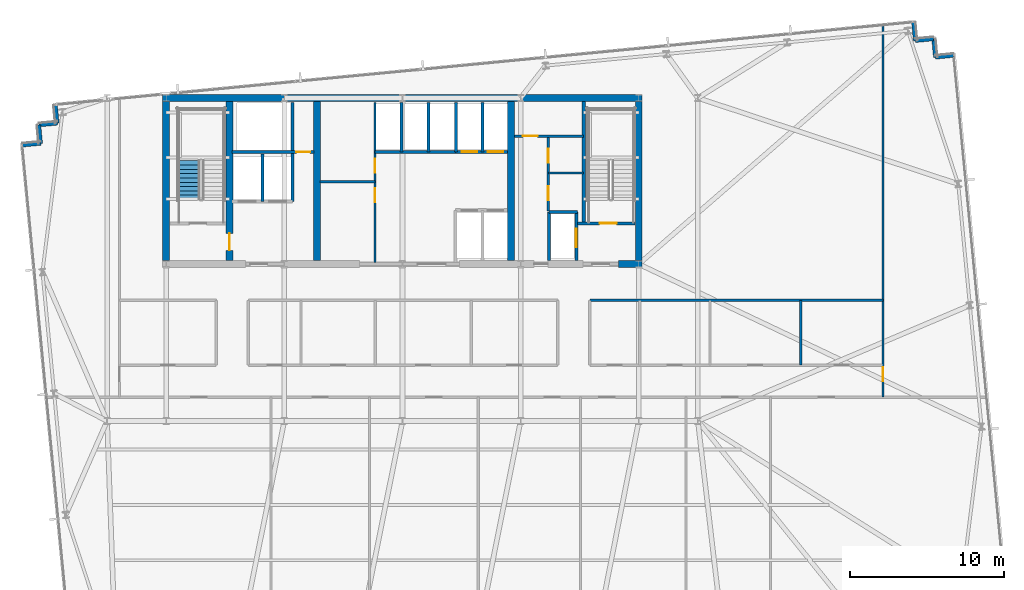
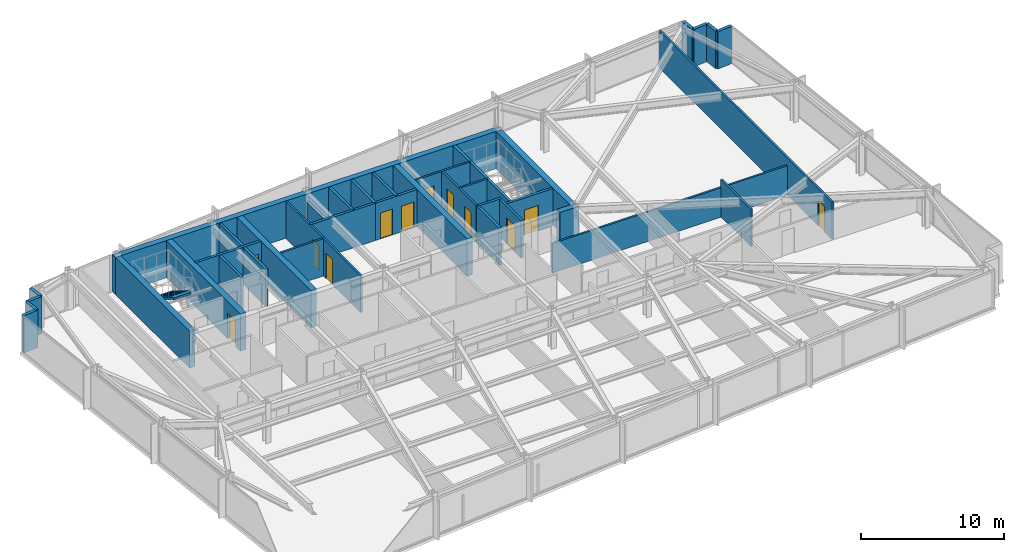
# One storey, part 26 of 33: 37 walls, 12 doors, 1 stair flight, 12 openings, 1 element without a shape of its own.
"""IFC4 building model written with IfcOpenShell, lengths in metres."""

from ifc_helpers import new_model, si_unit, direction, frame, frame_2d, origin, place, context, subcontext, project, spatial, polyline, rectangle, outline, extrude, material, layer, layer_set, type_object, element, fill, aggregate, save


model = new_model("IFC4")

# Units and contexts
model_context = context("Model", 3, precision=1e-05, world=origin(), true_north=direction((0.0, 1.0)))
body_context = subcontext(model_context, "Body", "Model", "MODEL_VIEW")
ifc_project = project(units=[si_unit("LENGTHUNIT", "METRE"), si_unit("AREAUNIT", "SQUARE_METRE"), si_unit("VOLUMEUNIT", "CUBIC_METRE"), si_unit("PLANEANGLEUNIT", "RADIAN"), si_unit("MASSUNIT", "GRAM", prefix="KILO")], contexts=[model_context])

# Site, building, storey
site_placement = place(None, origin())
site = spatial("IfcSite", under=ifc_project, at=site_placement, CompositionType="ELEMENT")
building_placement = place(site_placement, origin())
building = spatial("IfcBuilding", under=site, at=building_placement, Name="Yelkora Congress Tower", CompositionType="ELEMENT")
storey_placement = place(building_placement, frame((0.0, 0.0, 110.10009765625)))
storey = spatial("IfcBuildingStorey", under=building, at=storey_placement, Name="L29", CompositionType="ELEMENT", Elevation=110.10009765625)

# Walls
ifc_material_1 = material(Name="Concrete C50/60", Category="concrete")
ifc_layer_1 = layer(ifc_material_1, 0.219970703125)
ifc_layer_set_1 = layer_set([ifc_layer_1], Name="Concrete C50/60")
wall_type_1 = type_object("IfcWallType", Name="WALL-CORE-INT-220", PredefinedType="SHEAR", material=ifc_layer_set_1)
wall_1_placement = place(storey_placement, frame((50.179931640625, 38.050048828125, 0.0), z_axis=(0.0, 0.0, 1.0), x_axis=(0.0, 1.0, 0.0)))
element("IfcWall", 1, at=wall_1_placement, inside=storey, type_object=wall_type_1, Name="L29 ST02 West Stair Shear Wall", PredefinedType="SHEAR", context=body_context, shape_type="SweptSolid", body=[
    extrude(rectangle(XDim=7.925048828125, YDim=0.219970703125, at=frame_2d((3.96240234375, 0.0))), origin(), (0.0, 0.0, 1.0), 3.179931640625),
])
ifc_material_2 = material(Name="Concrete C60/75", Category="concrete")
ifc_layer_2 = layer(ifc_material_2, 0.449951171875)
ifc_layer_set_2 = layer_set([ifc_layer_2], Name="Concrete C60/75")
wall_type_2 = type_object("IfcWallType", Name="WALL-CORE-INT-450", PredefinedType="SHEAR", material=ifc_layer_set_2)
wall_2_placement = place(storey_placement, frame((22.81494140625, 46.199951171875, 0.0), z_axis=(0.0, 0.0, 1.0), x_axis=(1.0, 0.0, 0.0)))
element("IfcWall", 2, at=wall_2_placement, inside=storey, type_object=wall_type_2, Name="L29 Rear Core North Shear Wall", PredefinedType="SHEAR", context=body_context, shape_type="SweptSolid", body=[
    extrude(rectangle(XDim=31.170166015625, YDim=0.449951171875, at=frame_2d((15.5849609375, 0.0))), origin(), (0.0, 0.0, 1.0), 3.179931640625),
])
wall_3_placement = place(storey_placement, frame((52.449951171875, 35.39990234375, 0.0), z_axis=(0.0, 0.0, 1.0), x_axis=(1.0, 0.0, 0.0)))
element("IfcWall", 3, at=wall_3_placement, inside=storey, type_object=wall_type_2, Name="L29 Rear Core South-East Shear Wall B", PredefinedType="SHEAR", context=body_context, shape_type="SweptSolid", body=[
    extrude(rectangle(XDim=1.53515625, YDim=0.449951171875, at=frame_2d((0.767578125, 0.0))), origin(), (0.0, 0.0, 1.0), 3.179931640625),
])
wall_4_placement = place(storey_placement, frame((23.0400390625, 35.625, 0.0), z_axis=(0.0, 0.0, 1.0), x_axis=(0.0, 1.0, 0.0)))
element("IfcWall", 4, at=wall_4_placement, inside=storey, type_object=wall_type_2, Name="L29 Rear Core Cross Shear Wall W", PredefinedType="SHEAR", context=body_context, shape_type="SweptSolid", body=[
    extrude(rectangle(XDim=10.35009765625, YDim=0.449951171875, at=frame_2d((5.175048828125, 0.0))), origin(), (0.0, 0.0, 1.0), 3.179931640625),
])

# Wall, opening, door
wall_5_placement = place(storey_placement, frame((27.14990234375, 35.625, 0.0), z_axis=(0.0, 0.0, 1.0), x_axis=(0.0, 1.0, 0.0)))
wall_5 = element("IfcWall", 5, at=wall_5_placement, inside=storey, type_object=wall_type_2, Name="L29 Rear Core Cross Shear Wall C1", PredefinedType="SHEAR", context=body_context, shape_type="SweptSolid", body=[
    extrude(rectangle(XDim=10.35009765625, YDim=0.449951171875, at=frame_2d((5.175048828125, 0.0))), origin(), (0.0, 0.0, 1.0), 3.179931640625),
])
opening_1_placement = place(wall_5_placement, frame((0.675048828125, 0.0, 0.0)))
opening_1 = element("IfcOpeningElement", 6, at=opening_1_placement, cuts=wall_5, Name="Opening DR-110F9", PredefinedType="OPENING", context=body_context, shape_type="SweptSolid", body=[
    extrude(rectangle(XDim=1.10009765625, YDim=2.14990234375, at=frame_2d((0.550048828125, 1.074951171875))), frame((0.0, 0.23486328125, 0.0), z_axis=(0.0, -1.0, 0.0), x_axis=(1.0, 0.0, 0.0)), (0.0, 0.0, 1.0), 0.469970703125),
])
ifc_material_3 = material(Name="Galvanised steel fire door leaf", Category="steel")
door_type_1 = type_object("IfcDoorType", Name="DOOR-FD90-1100", OperationType="NOTDEFINED", PredefinedType="DOOR", material=ifc_material_3)
door_1_placement = place(opening_1_placement, origin())
door_1 = element("IfcDoor", 7, at=door_1_placement, inside=storey, type_object=door_type_1, Name="L29 Firefighting Stair Transfer Door", OperationType="SINGLE_SWING_LEFT", OverallHeight=2.14990234375, OverallWidth=1.10009765625, PredefinedType="DOOR", context=body_context, shape_type="SweptSolid", body=[
    extrude(rectangle(XDim=1.10009765625, YDim=2.14990234375, at=frame_2d((0.550048828125, 1.074951171875))), frame((0.0, 0.02490234375, 0.0), z_axis=(0.0, -1.0, 0.0), x_axis=(1.0, 0.0, 0.0)), (0.0, 0.0, 1.0), 0.050048828125),
])
fill(opening_1, door_1)

# Walls
for number, where, z_axis, x_axis, name in (
    (8, (32.85009765625, 35.625, 0.0), (0.0, 0.0, 1.0), (0.0, 1.0, 0.0), "L29 Rear Core Cross Shear Wall C2"),
    (9, (45.449951171875, 35.625, 0.0), (0.0, 0.0, 1.0), (0.0, 1.0, 0.0), "L29 Rear Core Cross Shear Wall C3"),
    (10, (53.760009765625, 35.625, 0.0), (0.0, 0.0, 1.0), (0.0, 1.0, 0.0), "L29 Rear Core Cross Shear Wall E"),
):
    element("IfcWall", number, at=place(storey_placement, frame(where, z_axis=z_axis, x_axis=x_axis)), inside=storey, type_object=wall_type_2, Name=name, PredefinedType="SHEAR", context=body_context, shape_type="SweptSolid", body=[
        extrude(rectangle(XDim=10.35009765625, YDim=0.449951171875, at=frame_2d((5.175048828125, 0.0))), origin(), (0.0, 0.0, 1.0), 3.179931640625),
    ])
ifc_material_4 = material(Name="Concrete C40/50", Category="concrete")
ifc_layer_3 = layer(ifc_material_4, 0.239990234375)
ifc_layer_set_3 = layer_set([ifc_layer_3], Name="Concrete C40/50")
wall_type_3 = type_object("IfcWallType", Name="WALL-EXT-LIMESTONE-240", PredefinedType="SOLIDWALL", material=ifc_layer_set_3)
for number, where, z_axis, x_axis, name in (
    (11, (13.69091796875, 43.126708984375, 0.0), (0.0, 0.0, 1.0), (0.995398960025, 0.095817067274, 0.0), "L29 Serrated Corner Limestone Pier 6"),
    (12, (14.885498046875, 43.24169921875, 0.0), (0.0, 0.0, 1.0), (-0.095817067274, 0.995398960025, 0.0), "L29 Serrated Corner Limestone Pier 7"),
):
    element("IfcWall", number, at=place(storey_placement, frame(where, z_axis=z_axis, x_axis=x_axis)), inside=storey, type_object=wall_type_3, Name=name, PredefinedType="SOLIDWALL", context=body_context, shape_type="SweptSolid", body=[
        extrude(rectangle(XDim=1.2001953125, YDim=0.239990234375, at=frame_2d((0.60009765625, 0.0))), origin(), (0.0, 0.0, 1.0), 3.179931640625),
    ])
for number, where, z_axis, x_axis, name in (
    (13, (14.7705078125, 44.436279296875, 0.0), (0.0, 0.0, 1.0), (0.995397091755, 0.095836473879, 0.0), "L29 Serrated Corner Limestone Pier 8"),
    (14, (15.96484375, 44.55126953125, 0.0), (0.0, 0.0, 1.0), (-0.095836473879, 0.995397091755, 0.0), "L29 Serrated Corner Limestone Pier 9"),
):
    element("IfcWall", number, at=place(storey_placement, frame(where, z_axis=z_axis, x_axis=x_axis)), inside=storey, type_object=wall_type_3, Name=name, PredefinedType="SOLIDWALL", context=body_context, shape_type="SweptSolid", body=[
        extrude(rectangle(XDim=1.199951171875, YDim=0.239990234375, at=frame_2d((0.60009765625, 0.0))), origin(), (0.0, 0.0, 1.0), 3.179931640625),
    ])
for number, where, z_axis, x_axis, name in (
    (15, (71.61181640625, 51.114990234375, 0.0), (0.0, 0.0, 1.0), (0.095817067274, -0.995398960025, 0.0), "L29 Serrated Corner Limestone Pier 11"),
    (16, (71.726806640625, 49.92041015625, 0.0), (0.0, 0.0, 1.0), (0.995398960025, 0.095817067274, 0.0), "L29 Serrated Corner Limestone Pier 12"),
    (17, (72.92138671875, 50.035400390625, 0.0), (0.0, 0.0, 1.0), (0.095817067274, -0.995398960025, 0.0), "L29 Serrated Corner Limestone Pier 13"),
    (18, (73.036376953125, 48.8408203125, 0.0), (0.0, 0.0, 1.0), (0.995379537303, 0.096018626938, 0.0), "L29 Serrated Corner Limestone Pier 14"),
):
    element("IfcWall", number, at=place(storey_placement, frame(where, z_axis=z_axis, x_axis=x_axis)), inside=storey, type_object=wall_type_3, Name=name, PredefinedType="SOLIDWALL", context=body_context, shape_type="SweptSolid", body=[
        extrude(rectangle(XDim=1.2001953125, YDim=0.239990234375, at=frame_2d((0.60009765625, 0.0))), origin(), (0.0, 0.0, 1.0), 3.179931640625),
    ])

# Wall, opening, door
ifc_material_5 = material(Name="Acoustic metal-stud gypsum partition", Category="gypsum")
ifc_layer_4 = layer(ifc_material_5, 0.14990234375)
ifc_layer_set_4 = layer_set([ifc_layer_4], Name="Acoustic metal-stud gypsum partition")
wall_type_4 = type_object("IfcWallType", Name="WALL-INT-150-NR", PredefinedType="PARTITIONING", material=ifc_layer_set_4)
wall_6_placement = place(storey_placement, frame((45.679931640625, 43.719970703125, 0.0), z_axis=(0.0, 0.0, 1.0), x_axis=(1.0, 0.0, 0.0)))
wall_6 = element("IfcWall", 19, at=wall_6_placement, inside=storey, type_object=wall_type_4, Name="L29 Partition Wall 24", PredefinedType="PARTITIONING", context=body_context, shape_type="SweptSolid", body=[
    extrude(rectangle(XDim=4.5, YDim=0.14990234375, at=frame_2d((2.25, 0.0))), origin(), (0.0, 0.0, 1.0), 3.179931640625),
])
opening_2_placement = place(wall_6_placement, frame((0.550048828125, 0.0, 0.0)))
opening_2 = element("IfcOpeningElement", 20, at=opening_2_placement, cuts=wall_6, Name="Opening DR-095N", PredefinedType="OPENING", context=body_context, shape_type="SweptSolid", body=[
    extrude(rectangle(XDim=0.949951171875, YDim=2.14990234375, at=frame_2d((0.47509765625, 1.074951171875))), frame((0.0, 0.0849609375, 0.0), z_axis=(0.0, -1.0, 0.0), x_axis=(1.0, 0.0, 0.0)), (0.0, 0.0, 1.0), 0.169921875),
])
ifc_material_6 = material(Name="Acoustic laminated timber office door", Category="wood")
door_type_2 = type_object("IfcDoorType", Name="DOOR-INT-950", OperationType="NOTDEFINED", PredefinedType="DOOR", material=ifc_material_6)
door_2_placement = place(opening_2_placement, origin())
door_2 = element("IfcDoor", 21, at=door_2_placement, inside=storey, type_object=door_type_2, Name="L29 Accessible WC Door", OperationType="SINGLE_SWING_RIGHT", OverallHeight=2.14990234375, OverallWidth=0.949951171875, PredefinedType="DOOR", context=body_context, shape_type="SweptSolid", body=[
    extrude(rectangle(XDim=0.949951171875, YDim=2.14990234375, at=frame_2d((0.47509765625, 1.074951171875))), frame((0.0, 0.02490234375, 0.0), z_axis=(0.0, -1.0, 0.0), x_axis=(1.0, 0.0, 0.0)), (0.0, 0.0, 1.0), 0.050048828125),
])
fill(opening_2, door_2)

# Wall
wall_7_placement = place(storey_placement, frame((47.8798828125, 41.320068359375, 0.0), z_axis=(0.0, 0.0, 1.0), x_axis=(1.0, 0.0, 0.0)))
element("IfcWall", 22, at=wall_7_placement, inside=storey, type_object=wall_type_4, Name="L29 Partition Wall 25", PredefinedType="PARTITIONING", context=body_context, shape_type="SweptSolid", body=[
    extrude(rectangle(XDim=2.300048828125, YDim=0.14990234375, at=frame_2d((1.14990234375, 0.0))), origin(), (0.0, 0.0, 1.0), 3.179931640625),
])

# Wall, openings, doors
wall_8_placement = place(storey_placement, frame((47.8798828125, 38.85009765625, 0.0), z_axis=(0.0, 0.0, 1.0), x_axis=(0.0, 1.0, 0.0)))
wall_8 = element("IfcWall", 23, at=wall_8_placement, inside=storey, type_object=wall_type_4, Name="L29 Partition Wall 26", PredefinedType="PARTITIONING", context=body_context, shape_type="SweptSolid", body=[
    extrude(rectangle(XDim=4.869873046875, YDim=0.14990234375, at=frame_2d((2.43505859375, 0.0))), origin(), (0.0, 0.0, 1.0), 3.179931640625),
])
opening_3_placement = place(wall_8_placement, frame((0.699951171875, 0.0, 0.0)))
opening_3 = element("IfcOpeningElement", 24, at=opening_3_placement, cuts=wall_8, Name="Opening DR-090N", PredefinedType="OPENING", context=body_context, shape_type="SweptSolid", body=[
    extrude(rectangle(XDim=0.89990234375, YDim=2.14990234375, at=frame_2d((0.449951171875, 1.074951171875))), frame((0.0, 0.0849609375, 0.0), z_axis=(0.0, -1.0, 0.0), x_axis=(1.0, 0.0, 0.0)), (0.0, 0.0, 1.0), 0.169921875),
])
opening_4_placement = place(wall_8_placement, frame((3.14990234375, 0.0, 0.0)))
opening_4 = element("IfcOpeningElement", 25, at=opening_4_placement, cuts=wall_8, Name="Opening DR-090N", PredefinedType="OPENING", context=body_context, shape_type="SweptSolid", body=[
    extrude(rectangle(XDim=0.89990234375, YDim=2.14990234375, at=frame_2d((0.449951171875, 1.074951171875))), frame((0.0, 0.0849609375, 0.0), z_axis=(0.0, -1.0, 0.0), x_axis=(1.0, 0.0, 0.0)), (0.0, 0.0, 1.0), 0.169921875),
])
ifc_material_7 = material(Name="Moisture-resistant laminate door leaf", Category="wood")
door_type_3 = type_object("IfcDoorType", Name="DOOR-INT-900", OperationType="NOTDEFINED", PredefinedType="DOOR", material=ifc_material_7)
door_3_placement = place(opening_3_placement, origin())
door_3 = element("IfcDoor", 26, at=door_3_placement, inside=storey, type_object=door_type_3, Name="L29 Male WC Door", OperationType="SINGLE_SWING_LEFT", OverallHeight=2.14990234375, OverallWidth=0.89990234375, PredefinedType="DOOR", context=body_context, shape_type="SweptSolid", body=[
    extrude(rectangle(XDim=0.89990234375, YDim=2.14990234375, at=frame_2d((0.449951171875, 1.074951171875))), frame((0.0, 0.02490234375, 0.0), z_axis=(0.0, -1.0, 0.0), x_axis=(1.0, 0.0, 0.0)), (0.0, 0.0, 1.0), 0.050048828125),
])
fill(opening_3, door_3)
door_4_placement = place(opening_4_placement, origin())
door_4 = element("IfcDoor", 27, at=door_4_placement, inside=storey, type_object=door_type_3, Name="L29 Female WC Door", OperationType="SINGLE_SWING_RIGHT", OverallHeight=2.14990234375, OverallWidth=0.89990234375, PredefinedType="DOOR", context=body_context, shape_type="SweptSolid", body=[
    extrude(rectangle(XDim=0.89990234375, YDim=2.14990234375, at=frame_2d((0.449951171875, 1.074951171875))), frame((0.0, 0.02490234375, 0.0), z_axis=(0.0, -1.0, 0.0), x_axis=(1.0, 0.0, 0.0)), (0.0, 0.0, 1.0), 0.050048828125),
])
fill(opening_4, door_4)

# Wall, opening, door
wall_9_placement = place(storey_placement, frame((69.62890625, 26.75, 0.0), z_axis=(0.0, 0.0, 1.0), x_axis=(0.0, 1.0, 0.0)))
wall_9 = element("IfcWall", 28, at=wall_9_placement, inside=storey, type_object=wall_type_4, Name="L29 Partition Wall 35", PredefinedType="PARTITIONING", context=body_context, shape_type="SweptSolid", body=[
    extrude(rectangle(XDim=24.234375, YDim=0.14990234375, at=frame_2d((12.1171875, 0.0))), origin(), (0.0, 0.0, 1.0), 3.179931640625),
])
opening_5_placement = place(wall_9_placement, frame((1.030029296875, 0.0, 0.0)))
opening_5 = element("IfcOpeningElement", 29, at=opening_5_placement, cuts=wall_9, Name="Opening DR-090N", PredefinedType="OPENING", context=body_context, shape_type="SweptSolid", body=[
    extrude(rectangle(XDim=0.89990234375, YDim=2.14990234375, at=frame_2d((0.449951171875, 1.074951171875))), frame((0.0, 0.0849609375, 0.0), z_axis=(0.0, -1.0, 0.0), x_axis=(1.0, 0.0, 0.0)), (0.0, 0.0, 1.0), 0.169921875),
])
door_5_placement = place(opening_5_placement, origin())
door_5 = element("IfcDoor", 30, at=door_5_placement, inside=storey, type_object=door_type_3, Name="L29 E Wing Door", OperationType="SINGLE_SWING_LEFT", OverallHeight=2.14990234375, OverallWidth=0.89990234375, PredefinedType="DOOR", context=body_context, shape_type="SweptSolid", body=[
    extrude(rectangle(XDim=0.89990234375, YDim=2.14990234375, at=frame_2d((0.449951171875, 1.074951171875))), frame((0.0, 0.02490234375, 0.0), z_axis=(0.0, -1.0, 0.0), x_axis=(1.0, 0.0, 0.0)), (0.0, 0.0, 1.0), 0.050048828125),
])
fill(opening_5, door_5)

# Walls
wall_10_placement = place(storey_placement, frame((50.580078125, 33.050048828125, 0.0), z_axis=(0.0, 0.0, 1.0), x_axis=(1.0, 0.0, 0.0)))
element("IfcWall", 31, at=wall_10_placement, inside=storey, type_object=wall_type_4, Name="L29 Partition Wall 42", PredefinedType="PARTITIONING", context=body_context, shape_type="SweptSolid", body=[
    extrude(rectangle(XDim=19.048828125, YDim=0.14990234375, at=frame_2d((9.5244140625, 0.0))), origin(), (0.0, 0.0, 1.0), 2.52490234375),
])
wall_11_placement = place(storey_placement, frame((64.283935546875, 28.830078125, 0.0), z_axis=(0.0, 0.0, 1.0), x_axis=(0.0, 1.0, 0.0)))
element("IfcWall", 32, at=wall_11_placement, inside=storey, type_object=wall_type_4, Name="L29 Partition Wall 50", PredefinedType="PARTITIONING", context=body_context, shape_type="SweptSolid", body=[
    extrude(rectangle(XDim=4.219970703125, YDim=0.14990234375, at=frame_2d((2.10986328125, 0.0))), origin(), (0.0, 0.0, 1.0), 3.179931640625),
])
ifc_material_8 = material(Name="Twin-stud fire-rated gypsum partition", Category="gypsum")
ifc_layer_5 = layer(ifc_material_8, 0.14990234375)
ifc_layer_set_5 = layer_set([ifc_layer_5], Name="Twin-stud fire-rated gypsum partition")
wall_type_5 = type_object("IfcWallType", Name="WALL-INT-150-R60", PredefinedType="PARTITIONING", material=ifc_layer_set_5)
wall_12_placement = place(storey_placement, frame((33.050048828125, 40.75, 0.0), z_axis=(0.0, 0.0, 1.0), x_axis=(1.0, 0.0, 0.0)))
element("IfcWall", 33, at=wall_12_placement, inside=storey, type_object=wall_type_5, Name="L29 Partition Wall 11", PredefinedType="PARTITIONING", context=body_context, shape_type="SweptSolid", body=[
    extrude(rectangle(XDim=3.570068359375, YDim=0.14990234375, at=frame_2d((1.78515625, 0.0))), origin(), (0.0, 0.0, 1.0), 3.179931640625),
])

# Wall, openings, doors
wall_13_placement = place(storey_placement, frame((36.6201171875, 35.5, 0.0), z_axis=(0.0, 0.0, 1.0), x_axis=(0.0, 1.0, 0.0)))
wall_13 = element("IfcWall", 34, at=wall_13_placement, inside=storey, type_object=wall_type_5, Name="L29 Partition Wall 12", PredefinedType="PARTITIONING", context=body_context, shape_type="SweptSolid", body=[
    extrude(rectangle(XDim=10.419921875, YDim=0.14990234375, at=frame_2d((5.2099609375, 0.0))), origin(), (0.0, 0.0, 1.0), 3.179931640625),
])
opening_6_placement = place(wall_13_placement, frame((3.919921875, 0.0, 0.0)))
opening_6 = element("IfcOpeningElement", 35, at=opening_6_placement, cuts=wall_13, Name="Opening DR-090F6", PredefinedType="OPENING", context=body_context, shape_type="SweptSolid", body=[
    extrude(rectangle(XDim=0.89990234375, YDim=2.14990234375, at=frame_2d((0.449951171875, 1.074951171875))), frame((0.0, 0.0849609375, 0.0), z_axis=(0.0, -1.0, 0.0), x_axis=(1.0, 0.0, 0.0)), (0.0, 0.0, 1.0), 0.169921875),
])
opening_7_placement = place(wall_13_placement, frame((5.85009765625, 0.0, 0.0)))
opening_7 = element("IfcOpeningElement", 36, at=opening_7_placement, cuts=wall_13, Name="Opening DR-090F6", PredefinedType="OPENING", context=body_context, shape_type="SweptSolid", body=[
    extrude(rectangle(XDim=0.89990234375, YDim=2.14990234375, at=frame_2d((0.449951171875, 1.074951171875))), frame((0.0, 0.0849609375, 0.0), z_axis=(0.0, -1.0, 0.0), x_axis=(1.0, 0.0, 0.0)), (0.0, 0.0, 1.0), 0.169921875),
])
ifc_material_9 = material(Name="Painted steel riser fire door leaf", Category="steel")
door_type_4 = type_object("IfcDoorType", Name="DOOR-FD60-900", OperationType="NOTDEFINED", PredefinedType="DOOR", material=ifc_material_9)
door_6_placement = place(opening_6_placement, origin())
door_6 = element("IfcDoor", 37, at=door_6_placement, inside=storey, type_object=door_type_4, Name="L29 Telecom Store Door", OperationType="SINGLE_SWING_LEFT", OverallHeight=2.14990234375, OverallWidth=0.89990234375, PredefinedType="DOOR", context=body_context, shape_type="SweptSolid", body=[
    extrude(rectangle(XDim=0.89990234375, YDim=2.14990234375, at=frame_2d((0.449951171875, 1.074951171875))), frame((0.0, 0.02490234375, 0.0), z_axis=(0.0, -1.0, 0.0), x_axis=(1.0, 0.0, 0.0)), (0.0, 0.0, 1.0), 0.050048828125),
])
fill(opening_6, door_6)
door_7_placement = place(opening_7_placement, origin())
door_7 = element("IfcDoor", 38, at=door_7_placement, inside=storey, type_object=door_type_4, Name="L29 Archive Store Door", OperationType="SINGLE_SWING_RIGHT", OverallHeight=2.14990234375, OverallWidth=0.89990234375, PredefinedType="DOOR", context=body_context, shape_type="SweptSolid", body=[
    extrude(rectangle(XDim=0.89990234375, YDim=2.14990234375, at=frame_2d((0.449951171875, 1.074951171875))), frame((0.0, 0.02490234375, 0.0), z_axis=(0.0, -1.0, 0.0), x_axis=(1.0, 0.0, 0.0)), (0.0, 0.0, 1.0), 0.050048828125),
])
fill(opening_7, door_7)

# Walls
ifc_material_10 = material(Name="Autoclaved aerated concrete blockwork", Category="masonry")
ifc_layer_6 = layer(ifc_material_10, 0.199951171875)
ifc_layer_set_6 = layer_set([ifc_layer_6], Name="Autoclaved aerated concrete blockwork")
wall_type_6 = type_object("IfcWallType", Name="WALL-INT-200-R120", PredefinedType="PARTITIONING", material=ifc_layer_set_6)
wall_14_placement = place(storey_placement, frame((29.300048828125, 39.47998046875, 0.0), z_axis=(0.0, 0.0, 1.0), x_axis=(0.0, 1.0, 0.0)))
element("IfcWall", 39, at=wall_14_placement, inside=storey, type_object=wall_type_6, Name="L29 Partition Wall 4", PredefinedType="PARTITIONING", context=body_context, shape_type="SweptSolid", body=[
    extrude(rectangle(XDim=3.070068359375, YDim=0.199951171875, at=frame_2d((1.53515625, 0.0))), origin(), (0.0, 0.0, 1.0), 3.179931640625),
])
wall_15_placement = place(storey_placement, frame((31.260009765625, 39.47998046875, 0.0), z_axis=(0.0, 0.0, 1.0), x_axis=(0.0, 1.0, 0.0)))
element("IfcWall", 40, at=wall_15_placement, inside=storey, type_object=wall_type_6, Name="L29 Partition Wall 5", PredefinedType="PARTITIONING", context=body_context, shape_type="SweptSolid", body=[
    extrude(rectangle(XDim=6.43994140625, YDim=0.199951171875, at=frame_2d((3.219970703125, 0.0))), origin(), (0.0, 0.0, 1.0), 3.179931640625),
])

# Wall, opening, door
wall_16_placement = place(storey_placement, frame((27.320068359375, 42.679931640625, 0.0), z_axis=(0.0, 0.0, 1.0), x_axis=(1.0, 0.0, 0.0)))
wall_16 = element("IfcWall", 41, at=wall_16_placement, inside=storey, type_object=wall_type_6, Name="L29 Smoke Riser South Wall", PredefinedType="PARTITIONING", context=body_context, shape_type="SweptSolid", body=[
    extrude(rectangle(XDim=5.329833984375, YDim=0.199951171875, at=frame_2d((2.6650390625, 0.0))), origin(), (0.0, 0.0, 1.0), 3.179931640625),
])
opening_8_placement = place(wall_16_placement, frame((4.179931640625, 0.0, 0.0)))
opening_8 = element("IfcOpeningElement", 42, at=opening_8_placement, cuts=wall_16, Name="Opening DR-090F6", PredefinedType="OPENING", context=body_context, shape_type="SweptSolid", body=[
    extrude(rectangle(XDim=0.89990234375, YDim=2.14990234375, at=frame_2d((0.449951171875, 1.074951171875))), frame((0.0, 0.10986328125, 0.0), z_axis=(0.0, -1.0, 0.0), x_axis=(1.0, 0.0, 0.0)), (0.0, 0.0, 1.0), 0.219970703125),
])
door_8_placement = place(opening_8_placement, origin())
door_8 = element("IfcDoor", 43, at=door_8_placement, inside=storey, type_object=door_type_4, Name="L29 Riser Access Door", OperationType="SINGLE_SWING_LEFT", OverallHeight=2.14990234375, OverallWidth=0.89990234375, PredefinedType="DOOR", context=body_context, shape_type="SweptSolid", body=[
    extrude(rectangle(XDim=0.89990234375, YDim=2.14990234375, at=frame_2d((0.449951171875, 1.074951171875))), frame((0.0, 0.02490234375, 0.0), z_axis=(0.0, -1.0, 0.0), x_axis=(1.0, 0.0, 0.0)), (0.0, 0.0, 1.0), 0.050048828125),
])
fill(opening_8, door_8)

# Walls
wall_17_placement = place(storey_placement, frame((36.60009765625, 42.699951171875, 0.0), z_axis=(0.0, 0.0, 1.0), x_axis=(1.0, 0.0, 0.0)))
element("IfcWall", 44, at=wall_17_placement, inside=storey, type_object=wall_type_6, Name="L29 Partition Wall 8", PredefinedType="PARTITIONING", context=body_context, shape_type="SweptSolid", body=[
    extrude(rectangle(XDim=5.25, YDim=0.199951171875, at=frame_2d((2.625, 0.0))), origin(), (0.0, 0.0, 1.0), 3.179931640625),
])
wall_18_placement = place(storey_placement, frame((38.35009765625, 42.699951171875, 0.0), z_axis=(0.0, 0.0, 1.0), x_axis=(0.0, 1.0, 0.0)))
element("IfcWall", 45, at=wall_18_placement, inside=storey, type_object=wall_type_6, Name="L29 Partition Wall 9", PredefinedType="PARTITIONING", context=body_context, shape_type="SweptSolid", body=[
    extrude(rectangle(XDim=3.219970703125, YDim=0.199951171875, at=frame_2d((1.60986328125, 0.0))), origin(), (0.0, 0.0, 1.0), 2.52490234375),
])
wall_19_placement = place(storey_placement, frame((40.10009765625, 42.699951171875, 0.0), z_axis=(0.0, 0.0, 1.0), x_axis=(0.0, 1.0, 0.0)))
element("IfcWall", 46, at=wall_19_placement, inside=storey, type_object=wall_type_6, Name="L29 Partition Wall 10", PredefinedType="PARTITIONING", context=body_context, shape_type="SweptSolid", body=[
    extrude(rectangle(XDim=3.219970703125, YDim=0.199951171875, at=frame_2d((1.60986328125, 0.0))), origin(), (0.0, 0.0, 1.0), 3.179931640625),
])

# Wall, openings, doors
wall_20_placement = place(storey_placement, frame((41.85009765625, 42.699951171875, 0.0), z_axis=(0.0, 0.0, 1.0), x_axis=(1.0, 0.0, 0.0)))
wall_20 = element("IfcWall", 47, at=wall_20_placement, inside=storey, type_object=wall_type_6, Name="L29 Partition Wall 14", PredefinedType="PARTITIONING", context=body_context, shape_type="SweptSolid", body=[
    extrude(rectangle(XDim=3.369873046875, YDim=0.199951171875, at=frame_2d((1.68505859375, 0.0))), origin(), (0.0, 0.0, 1.0), 3.179931640625),
])
opening_9_placement = place(wall_20_placement, frame((0.39990234375, 0.0, 0.0)))
opening_9 = element("IfcOpeningElement", 48, at=opening_9_placement, cuts=wall_20, Name="Opening LD-PS10", PredefinedType="OPENING", context=body_context, shape_type="SweptSolid", body=[
    extrude(rectangle(XDim=1.0, YDim=2.199951171875, at=frame_2d((0.5, 1.10009765625))), frame((0.0, 0.10986328125, 0.0), z_axis=(0.0, -1.0, 0.0), x_axis=(1.0, 0.0, 0.0)), (0.0, 0.0, 1.0), 0.219970703125),
])
opening_10_placement = place(wall_20_placement, frame((2.10009765625, 0.0, 0.0)))
opening_10 = element("IfcOpeningElement", 49, at=opening_10_placement, cuts=wall_20, Name="Opening LD-PS10", PredefinedType="OPENING", context=body_context, shape_type="SweptSolid", body=[
    extrude(rectangle(XDim=1.0, YDim=2.199951171875, at=frame_2d((0.5, 1.10009765625))), frame((0.0, 0.10986328125, 0.0), z_axis=(0.0, -1.0, 0.0), x_axis=(1.0, 0.0, 0.0)), (0.0, 0.0, 1.0), 0.219970703125),
])
ifc_material_11 = material(Name="Champagne stainless steel landing door", Category="steel")
door_type_5 = type_object("IfcDoorType", Name="DOOR-LIFT-PAS-1000", OperationType="DOUBLE_DOOR_SLIDING", PredefinedType="DOOR", material=ifc_material_11)
door_9_placement = place(opening_9_placement, origin())
door_9 = element("IfcDoor", 50, at=door_9_placement, inside=storey, type_object=door_type_5, Name="Lift Landing Door LF-P7 L29", OperationType="DOUBLE_DOOR_SLIDING", OverallHeight=2.199951171875, OverallWidth=1.0, PredefinedType="DOOR", context=body_context, shape_type="SweptSolid", body=[
    extrude(rectangle(XDim=1.0, YDim=2.199951171875, at=frame_2d((0.5, 1.10009765625))), frame((0.0, 0.02490234375, 0.0), z_axis=(0.0, -1.0, 0.0), x_axis=(1.0, 0.0, 0.0)), (0.0, 0.0, 1.0), 0.050048828125),
])
fill(opening_9, door_9)
door_10_placement = place(opening_10_placement, origin())
door_10 = element("IfcDoor", 51, at=door_10_placement, inside=storey, type_object=door_type_5, Name="Lift Landing Door LF-P8 L29", OperationType="DOUBLE_DOOR_SLIDING", OverallHeight=2.199951171875, OverallWidth=1.0, PredefinedType="DOOR", context=body_context, shape_type="SweptSolid", body=[
    extrude(rectangle(XDim=1.0, YDim=2.199951171875, at=frame_2d((0.5, 1.10009765625))), frame((0.0, 0.02490234375, 0.0), z_axis=(0.0, -1.0, 0.0), x_axis=(1.0, 0.0, 0.0)), (0.0, 0.0, 1.0), 0.050048828125),
])
fill(opening_10, door_10)

# Walls
for number, where, z_axis, x_axis, name in (
    (52, (43.60009765625, 42.699951171875, 0.0), (0.0, 0.0, 1.0), (0.0, 1.0, 0.0), "L29 Partition Wall 16"),
    (53, (41.8798828125, 42.699951171875, 0.0), (0.0, 0.0, 1.0), (0.0, 1.0, 0.0), "L29 Partition Wall 18"),
):
    element("IfcWall", number, at=place(storey_placement, frame(where, z_axis=z_axis, x_axis=x_axis)), inside=storey, type_object=wall_type_6, Name=name, PredefinedType="PARTITIONING", context=body_context, shape_type="SweptSolid", body=[
        extrude(rectangle(XDim=3.219970703125, YDim=0.199951171875, at=frame_2d((1.60986328125, 0.0))), origin(), (0.0, 0.0, 1.0), 3.179931640625),
    ])

# Wall, opening, door
wall_21_placement = place(storey_placement, frame((49.780029296875, 38.050048828125, 0.0), z_axis=(0.0, 0.0, 1.0), x_axis=(1.0, 0.0, 0.0)))
wall_21 = element("IfcWall", 54, at=wall_21_placement, inside=storey, type_object=wall_type_6, Name="L29 Stair ST-02 Enclosure Wall", PredefinedType="PARTITIONING", context=body_context, shape_type="SweptSolid", body=[
    extrude(rectangle(XDim=3.719970703125, YDim=0.199951171875, at=frame_2d((1.85986328125, 0.0))), origin(), (0.0, 0.0, 1.0), 3.179931640625),
])
opening_11_placement = place(wall_21_placement, frame((1.436279296875, 0.0, 0.0)))
opening_11 = element("IfcOpeningElement", 55, at=opening_11_placement, cuts=wall_21, Name="Opening DR-110F9", PredefinedType="OPENING", context=body_context, shape_type="SweptSolid", body=[
    extrude(rectangle(XDim=1.10009765625, YDim=2.14990234375, at=frame_2d((0.550048828125, 1.074951171875))), frame((0.0, 0.10986328125, 0.0), z_axis=(0.0, -1.0, 0.0), x_axis=(1.0, 0.0, 0.0)), (0.0, 0.0, 1.0), 0.219970703125),
])
door_11_placement = place(opening_11_placement, origin())
door_11 = element("IfcDoor", 56, at=door_11_placement, inside=storey, type_object=door_type_1, Name="L29 Stair ST-02 Entry Door", OperationType="SINGLE_SWING_LEFT", OverallHeight=2.14990234375, OverallWidth=1.10009765625, PredefinedType="DOOR", context=body_context, shape_type="SweptSolid", body=[
    extrude(rectangle(XDim=1.10009765625, YDim=2.14990234375, at=frame_2d((0.550048828125, 1.074951171875))), frame((0.0, 0.02490234375, 0.0), z_axis=(0.0, -1.0, 0.0), x_axis=(1.0, 0.0, 0.0)), (0.0, 0.0, 1.0), 0.050048828125),
])
fill(opening_11, door_11)

wall_22_placement = place(storey_placement, frame((49.699951171875, 35.64990234375, 0.0), z_axis=(0.0, 0.0, 1.0), x_axis=(0.0, 1.0, 0.0)))
wall_22 = element("IfcWall", 57, at=wall_22_placement, inside=storey, type_object=wall_type_6, Name="L29 Partition Wall 21", PredefinedType="PARTITIONING", context=body_context, shape_type="SweptSolid", body=[
    extrude(rectangle(XDim=3.150146484375, YDim=0.199951171875, at=frame_2d((1.5751953125, 0.0))), origin(), (0.0, 0.0, 1.0), 3.179931640625),
])
opening_12_placement = place(wall_22_placement, frame((0.85009765625, 0.0, 0.0)))
opening_12 = element("IfcOpeningElement", 58, at=opening_12_placement, cuts=wall_22, Name="Opening LD-SV12", PredefinedType="OPENING", context=body_context, shape_type="SweptSolid", body=[
    extrude(rectangle(XDim=1.199951171875, YDim=2.199951171875, at=frame_2d((0.60009765625, 1.10009765625))), frame((0.0, 0.10986328125, 0.0), z_axis=(0.0, -1.0, 0.0), x_axis=(1.0, 0.0, 0.0)), (0.0, 0.0, 1.0), 0.219970703125),
])
ifc_material_12 = material(Name="Heavy-duty stainless steel landing door", Category="steel")
door_type_6 = type_object("IfcDoorType", Name="DOOR-LIFT-SRV-1200", OperationType="DOUBLE_DOOR_SLIDING", PredefinedType="DOOR", material=ifc_material_12)
door_12_placement = place(opening_12_placement, origin())
door_12 = element("IfcDoor", 59, at=door_12_placement, inside=storey, type_object=door_type_6, Name="Service Lift Landing Door LF-SV1 L29", OperationType="DOUBLE_DOOR_SLIDING", OverallHeight=2.199951171875, OverallWidth=1.199951171875, PredefinedType="DOOR", context=body_context, shape_type="SweptSolid", body=[
    extrude(rectangle(XDim=1.199951171875, YDim=2.199951171875, at=frame_2d((0.60009765625, 1.10009765625))), frame((0.0, 0.02490234375, 0.0), z_axis=(0.0, -1.0, 0.0), x_axis=(1.0, 0.0, 0.0)), (0.0, 0.0, 1.0), 0.050048828125),
])
fill(opening_12, door_12)

# Walls
wall_23_placement = place(storey_placement, frame((47.919921875, 35.64990234375, 0.0), z_axis=(0.0, 0.0, 1.0), x_axis=(0.0, 1.0, 0.0)))
element("IfcWall", 60, at=wall_23_placement, inside=storey, type_object=wall_type_6, Name="L29 Partition Wall 22", PredefinedType="PARTITIONING", context=body_context, shape_type="SweptSolid", body=[
    extrude(rectangle(XDim=3.150146484375, YDim=0.199951171875, at=frame_2d((1.5751953125, 0.0))), origin(), (0.0, 0.0, 1.0), 3.179931640625),
])
wall_24_placement = place(storey_placement, frame((47.919921875, 38.800048828125, 0.0), z_axis=(0.0, 0.0, 1.0), x_axis=(1.0, 0.0, 0.0)))
element("IfcWall", 61, at=wall_24_placement, inside=storey, type_object=wall_type_6, Name="L29 Partition Wall 23", PredefinedType="PARTITIONING", context=body_context, shape_type="SweptSolid", body=[
    extrude(rectangle(XDim=1.860107421875, YDim=0.199951171875, at=frame_2d((0.93017578125, 0.0))), origin(), (0.0, 0.0, 1.0), 3.179931640625),
])

# Stair, stair flight
stair_type = type_object("IfcStairType", Name="STAIR-HT-1420-R20-170", PredefinedType="HALF_TURN_STAIR", material=ifc_material_4)
stair_placement = place(storey_placement, origin())
stair = element("IfcStair", 62, at=stair_placement, inside=storey, type_object=stair_type, Name="West Core Protected Exit Stair ST-01 (L29)", PredefinedType="HALF_TURN_STAIR")
stair_flight_type = type_object("IfcStairFlightType", Name="FLIGHT-1420-N10-R170-G280", PredefinedType="STRAIGHT", material=ifc_material_4)
stair_flight_placement = place(storey_placement, frame((24.530029296875, 42.1201171875, 1.699951171875), z_axis=(0.0, 0.0, 1.0), x_axis=(0.0, -1.0, 0.0)))
stair_flight = element("IfcStairFlight", 63, at=stair_flight_placement, type_object=stair_flight_type, Name="ST-01 L29 Flight 2", NumberOfRisers=10, NumberOfTreads=9, PredefinedType="STRAIGHT", RiserHeight=0.17, TreadLength=0.28, context=body_context, shape_type="SweptSolid", body=[
    extrude(outline(polyline([(0.0, 0.0), (0.0, 0.169921875), (0.280029296875, 0.169921875), (0.280029296875, 0.340087890625), (0.56005859375, 0.340087890625), (0.56005859375, 0.510009765625), (0.840087890625, 0.510009765625), (0.840087890625, 0.679931640625), (1.1201171875, 0.679931640625), (1.1201171875, 0.85009765625), (1.39990234375, 0.85009765625), (1.39990234375, 1.02001953125), (1.679931640625, 1.02001953125), (1.679931640625, 1.18994140625), (1.9599609375, 1.18994140625), (1.9599609375, 1.360107421875), (2.239990234375, 1.360107421875), (2.239990234375, 1.530029296875), (2.52001953125, 1.530029296875), (2.52001953125, 1.699951171875), (2.52001953125, 1.343017578125), (0.30810546875, 0.0), (0.0, 0.0)])), frame((0.0, 0.7099609375, 0.0), z_axis=(0.0, -1.0, 0.0), x_axis=(1.0, 0.0, 0.0)), (0.0, 0.0, 1.0), 1.419921875),
])
aggregate(stair, [stair_flight])

save(model, "model.ifc")
